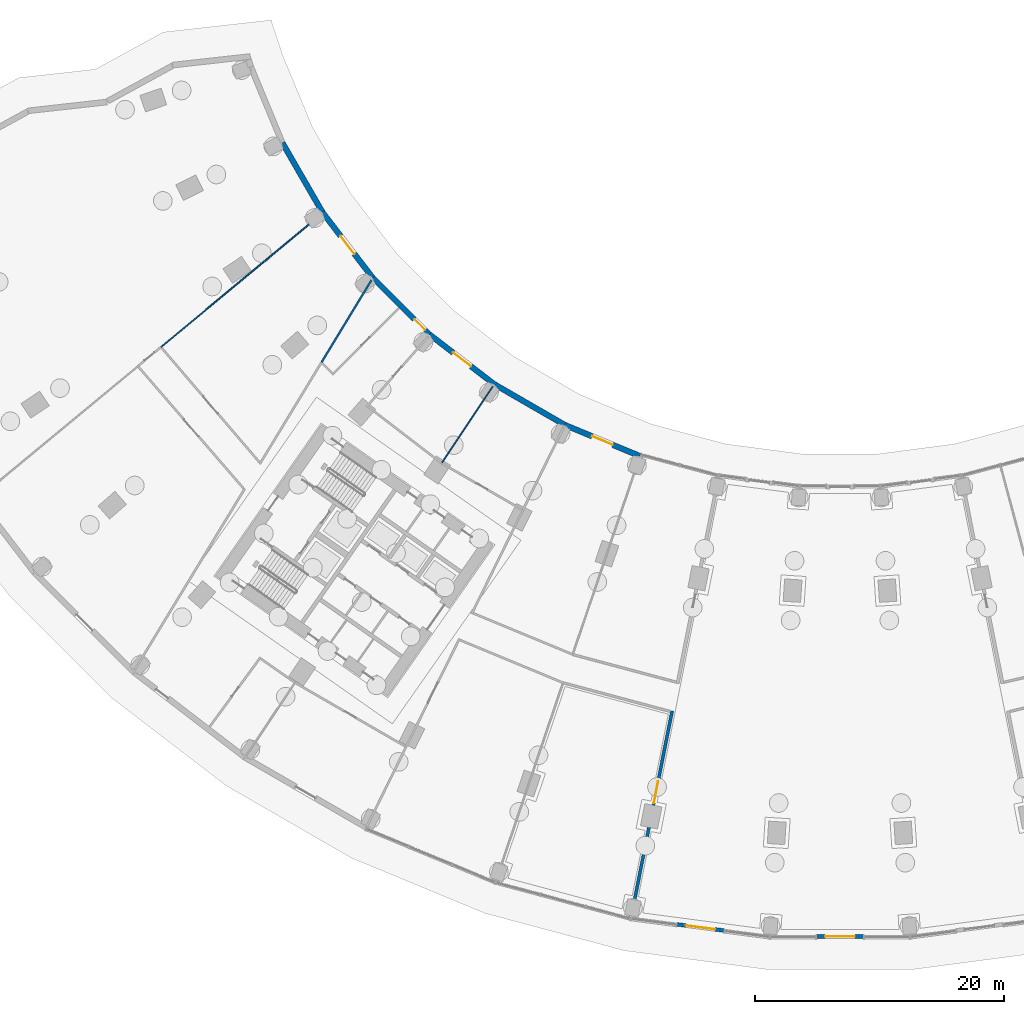
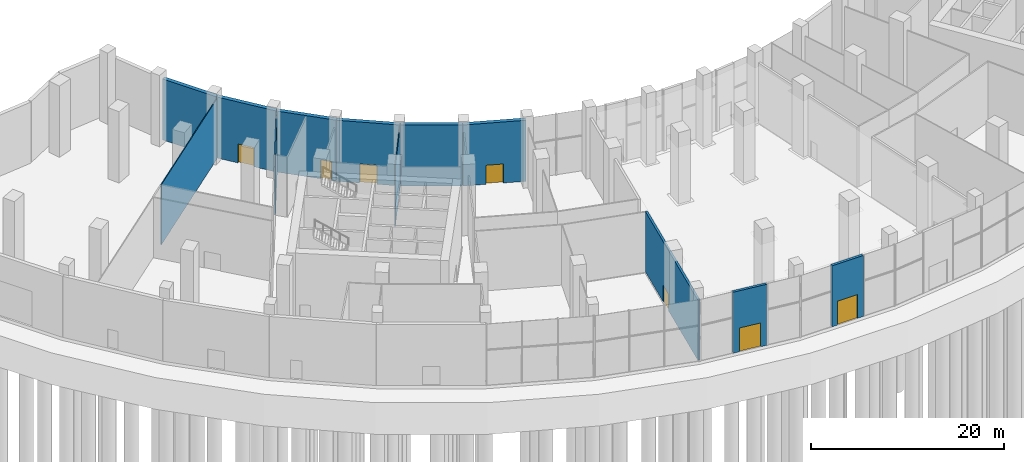
# One storey, part 7 of 23: 12 walls, 7 doors, 7 openings.
"""IFC4 building model written with IfcOpenShell, lengths in metres."""

from ifc_helpers import new_model, si_unit, direction, frame, frame_2d, origin, place, context, subcontext, project, spatial, rectangle, extrude, material, layer, layer_set, type_object, element, fill, save


model = new_model("IFC4")

# Units and contexts
model_context = context("Model", 3, precision=1e-05, world=origin(), true_north=direction((0.0, 1.0)))
body_context = subcontext(model_context, "Body", "Model", "MODEL_VIEW")
ifc_project = project(units=[si_unit("LENGTHUNIT", "METRE"), si_unit("AREAUNIT", "SQUARE_METRE"), si_unit("VOLUMEUNIT", "CUBIC_METRE"), si_unit("PLANEANGLEUNIT", "RADIAN"), si_unit("MASSUNIT", "GRAM", prefix="KILO")], contexts=[model_context])

# Site, building, storey
site_placement = place(None, origin())
site = spatial("IfcSite", under=ifc_project, at=site_placement, CompositionType="ELEMENT")
building_placement = place(site_placement, origin())
building = spatial("IfcBuilding", under=site, at=building_placement, Name="Qamariyya Broadcast Tower", CompositionType="ELEMENT")
storey_placement = place(building_placement, origin())
storey = spatial("IfcBuildingStorey", under=building, at=storey_placement, Name="L00", CompositionType="ELEMENT", Elevation=0.0)

# Wall, opening, door
ifc_material_1 = material(Name="Masonry block wall", Category="masonry")
ifc_layer_1 = layer(ifc_material_1, 0.25)
ifc_layer_set_1 = layer_set([ifc_layer_1], Name="Concourse compartment wall 250 EI 120")
wall_type_1 = type_object("IfcWallType", Name="Concourse compartment wall 250 EI 120", PredefinedType="PARTITIONING", material=ifc_layer_set_1)
wall_1_placement = place(storey_placement, frame((-16.787353515625, -84.396240234375, 0.0), z_axis=(0.0, 0.0, 1.0), x_axis=(0.195086842272, 0.980785972561, 0.0)))
wall_1 = element("IfcWall", 1, at=wall_1_placement, inside=storey, type_object=wall_type_1, Name="Partition L00-030", PredefinedType="PARTITIONING", context=body_context, shape_type="SweptSolid", body=[
    extrude(rectangle(XDim=16.924560546875, YDim=0.25, at=frame_2d((8.46240234375, 0.0))), origin(), (0.0, 0.0, 1.0), 7.60009765625),
])
opening_1_placement = place(wall_1_placement, frame((9.3623046875, 0.0, 0.0)))
opening_1 = element("IfcOpeningElement", 2, at=opening_1_placement, cuts=wall_1, Name="Opening L00-D02", PredefinedType="OPENING", context=body_context, shape_type="SweptSolid", body=[
    extrude(rectangle(XDim=1.800048828125, YDim=2.10009765625, at=frame_2d((0.89990234375, 1.050048828125))), frame((0.0, 0.135009765625, 0.0), z_axis=(0.0, -1.0, 0.0), x_axis=(1.0, 0.0, 0.0)), (0.0, 0.0, 1.0), 0.27001953125),
])
ifc_material_2 = material(Name="Timber fire door leaf", Category="wood")
door_type_1 = type_object("IfcDoorType", Name="Double fire door 1800 x 2100 FD60", OperationType="NOTDEFINED", PredefinedType="DOOR", material=ifc_material_2)
door_1_placement = place(opening_1_placement, origin())
door_1 = element("IfcDoor", 3, at=door_1_placement, inside=storey, type_object=door_type_1, Name="Door L00-D02", OperationType="DOUBLE_DOOR_SINGLE_SWING", OverallHeight=2.10009765625, OverallWidth=1.800048828125, PredefinedType="DOOR", context=body_context, shape_type="SweptSolid", body=[
    extrude(rectangle(XDim=1.800048828125, YDim=2.10009765625, at=frame_2d((0.89990234375, 1.050048828125))), frame((0.0, 0.02490234375, 0.0), z_axis=(0.0, -1.0, 0.0), x_axis=(1.0, 0.0, 0.0)), (0.0, 0.0, 1.0), 0.050048828125),
])
fill(opening_1, door_1)

# Walls
ifc_material_3 = material(Name="Gypsum board partition")
ifc_layer_2 = layer(ifc_material_3, 0.14990234375)
ifc_layer_set_2 = layer_set([ifc_layer_2], Name="Corridor partition 150 EI 60")
wall_type_2 = type_object("IfcWallType", Name="Corridor partition 150 EI 60", PredefinedType="PARTITIONING", material=ifc_layer_set_2)
wall_2_placement = place(storey_placement, frame((-37.6376953125, -33.18701171875, 0.0), z_axis=(0.0, 0.0, 1.0), x_axis=(-0.519163683086, -0.854674833, 0.0)))
element("IfcWall", 4, at=wall_2_placement, inside=storey, type_object=wall_type_2, Name="Partition L00-015", PredefinedType="PARTITIONING", context=body_context, shape_type="SweptSolid", body=[
    extrude(rectangle(XDim=7.724853515625, YDim=0.14990234375, at=frame_2d((3.8623046875, 0.0))), origin(), (0.0, 0.0, 1.0), 7.60009765625),
])
ifc_layer_3 = layer(ifc_material_3, 0.10009765625)
ifc_layer_set_3 = layer_set([ifc_layer_3], Name="Partition 100")
wall_type_3 = type_object("IfcWallType", Name="Partition 100", PredefinedType="PARTITIONING", material=ifc_layer_set_3)
wall_3_placement = place(storey_placement, frame((-54.543701171875, -38.564697265625, 0.0), z_axis=(0.0, 0.0, 1.0), x_axis=(0.769842038591, 0.638234467589, 0.0)))
element("IfcWall", 5, at=wall_3_placement, inside=storey, type_object=wall_type_3, Name="Partition L00-003", PredefinedType="PARTITIONING", context=body_context, shape_type="SweptSolid", body=[
    extrude(rectangle(XDim=16.667724609375, YDim=0.10009765625, at=frame_2d((8.333984375, 0.0))), origin(), (0.0, 0.0, 1.0), 7.60009765625),
])
wall_4_placement = place(storey_placement, frame((-27.8896484375, -41.73974609375, 0.0), z_axis=(0.0, 0.0, 1.0), x_axis=(-0.555569023768, -0.831470420297, 0.0)))
element("IfcWall", 6, at=wall_4_placement, inside=storey, type_object=wall_type_3, Name="Partition L00-024", PredefinedType="PARTITIONING", context=body_context, shape_type="SweptSolid", body=[
    extrude(rectangle(XDim=7.324951171875, YDim=0.10009765625, at=frame_2d((3.66259765625, 0.0))), origin(), (0.0, 0.0, 1.0), 7.60009765625),
])

# Wall, opening, door
ifc_material_4 = material(Name="Precast concrete C40/50 with terracotta facing", Category="masonry")
ifc_layer_4 = layer(ifc_material_4, 0.300048828125)
ifc_layer_set_4 = layer_set([ifc_layer_4], Name="Precast concrete C40/50 entrance portal wall 300, terracotta faced")
wall_type_4 = type_object("IfcWallType", Name="Precast concrete C40/50 entrance portal wall 300, terracotta faced", PredefinedType="SOLIDWALL", material=ifc_layer_set_4)
wall_5_placement = place(storey_placement, frame((-13.078369140625, -84.934814453125, 0.0), z_axis=(0.0, 0.0, 1.0), x_axis=(0.99144147491, -0.130551912392, 0.0)))
wall_5 = element("IfcWall", 7, at=wall_5_placement, inside=storey, type_object=wall_type_4, Name="e-wl-L00-portal-out09", PredefinedType="SOLIDWALL", context=body_context, shape_type="SweptSolid", body=[
    extrude(rectangle(XDim=3.7607421875, YDim=0.300048828125, at=frame_2d((1.88037109375, 0.0))), origin(), (0.0, 0.0, 1.0), 7.699951171875),
])
opening_2_placement = place(wall_5_placement, frame((0.680419921875, 0.0, 0.0)))
opening_2 = element("IfcOpeningElement", 8, at=opening_2_placement, cuts=wall_5, Name="Opening ED1", PredefinedType="OPENING", context=body_context, shape_type="SweptSolid", body=[
    extrude(rectangle(XDim=2.39990234375, YDim=3.0, at=frame_2d((1.199951171875, 1.5))), frame((0.0, 0.159912109375, 0.0), z_axis=(0.0, -1.0, 0.0), x_axis=(1.0, 0.0, 0.0)), (0.0, 0.0, 1.0), 0.320068359375),
])
ifc_material_5 = material(Name="Toughened glass in stainless steel frame", Category="steel")
door_type_2 = type_object("IfcDoorType", Name="Concourse entrance door 2400 x 3000", OperationType="DOUBLE_DOOR_DOUBLE_SWING", PredefinedType="DOOR", material=ifc_material_5)
door_2_placement = place(opening_2_placement, origin())
door_2 = element("IfcDoor", 9, at=door_2_placement, inside=storey, type_object=door_type_2, Name="e-ed-L00-ent-out09", OperationType="DOUBLE_DOOR_DOUBLE_SWING", OverallHeight=3.0, OverallWidth=2.39990234375, PredefinedType="DOOR", context=body_context, shape_type="SweptSolid", body=[
    extrude(rectangle(XDim=2.39990234375, YDim=3.0, at=frame_2d((1.199951171875, 1.5))), frame((0.0, 0.02490234375, 0.0), z_axis=(0.0, -1.0, 0.0), x_axis=(1.0, 0.0, 0.0)), (0.0, 0.0, 1.0), 0.050048828125),
])
fill(opening_2, door_2)

wall_6_placement = place(storey_placement, frame((-1.88037109375, -85.915283203125, 0.0), z_axis=(0.0, 0.0, 1.0), x_axis=(1.0, 0.0, 0.0)))
wall_6 = element("IfcWall", 10, at=wall_6_placement, inside=storey, type_object=wall_type_4, Name="e-wl-L00-portal-out10", PredefinedType="SOLIDWALL", context=body_context, shape_type="SweptSolid", body=[
    extrude(rectangle(XDim=3.7607421875, YDim=0.300048828125, at=frame_2d((1.88037109375, 0.0))), origin(), (0.0, 0.0, 1.0), 7.699951171875),
])
opening_3_placement = place(wall_6_placement, frame((0.680419921875, 0.0, 0.0)))
opening_3 = element("IfcOpeningElement", 11, at=opening_3_placement, cuts=wall_6, Name="Opening ED1", PredefinedType="OPENING", context=body_context, shape_type="SweptSolid", body=[
    extrude(rectangle(XDim=2.39990234375, YDim=3.0, at=frame_2d((1.199951171875, 1.5))), frame((0.0, 0.159912109375, 0.0), z_axis=(0.0, -1.0, 0.0), x_axis=(1.0, 0.0, 0.0)), (0.0, 0.0, 1.0), 0.320068359375),
])
door_3_placement = place(opening_3_placement, origin())
door_3 = element("IfcDoor", 12, at=door_3_placement, inside=storey, type_object=door_type_2, Name="e-ed-L00-ent-out10", OperationType="DOUBLE_DOOR_DOUBLE_SWING", OverallHeight=3.0, OverallWidth=2.39990234375, PredefinedType="DOOR", context=body_context, shape_type="SweptSolid", body=[
    extrude(rectangle(XDim=2.39990234375, YDim=3.0, at=frame_2d((1.199951171875, 1.5))), frame((0.0, 0.02490234375, 0.0), z_axis=(0.0, -1.0, 0.0), x_axis=(1.0, 0.0, 0.0)), (0.0, 0.0, 1.0), 0.050048828125),
])
fill(opening_3, door_3)

# Wall
ifc_layer_5 = layer(ifc_material_4, 0.449951171875)
ifc_layer_set_5 = layer_set([ifc_layer_5], Name="Precast concrete C40/50 wall 450, terracotta faced")
wall_type_5 = type_object("IfcWallType", Name="Precast concrete C40/50 wall 450, terracotta faced", PredefinedType="SOLIDWALL", material=ifc_layer_set_5)
wall_7_placement = place(storey_placement, frame((-41.58251953125, -27.7138671875, 0.0), z_axis=(0.0, 0.0, 1.0), x_axis=(-0.50000447882, 0.866022817921, 0.0)))
element("IfcWall", 13, at=wall_7_placement, inside=storey, type_object=wall_type_5, Name="e-wl-L00-in20", PredefinedType="SOLIDWALL", context=body_context, shape_type="SweptSolid", body=[
    extrude(rectangle(XDim=6.41943359375, YDim=0.449951171875, at=frame_2d((3.209716796875, 0.0))), origin(), (0.0, 0.0, 1.0), 7.699951171875),
])

# Wall, opening, door
wall_8_placement = place(storey_placement, frame((-37.55517578125, -32.974853515625, 0.0), z_axis=(0.0, 0.0, 1.0), x_axis=(-0.608780327927, 0.793338838284, 0.0)))
wall_8 = element("IfcWall", 14, at=wall_8_placement, inside=storey, type_object=wall_type_5, Name="e-wl-L00-in30", PredefinedType="SOLIDWALL", context=body_context, shape_type="SweptSolid", body=[
    extrude(rectangle(XDim=6.596923828125, YDim=0.449951171875, at=frame_2d((3.29833984375, 0.0))), origin(), (0.0, 0.0, 1.0), 7.699951171875),
])
opening_4_placement = place(wall_8_placement, frame((2.3984375, 0.0, 0.0)))
opening_4 = element("IfcOpeningElement", 15, at=opening_4_placement, cuts=wall_8, Name="Opening ED8", PredefinedType="OPENING", context=body_context, shape_type="SweptSolid", body=[
    extrude(rectangle(XDim=1.800048828125, YDim=2.39990234375, at=frame_2d((0.89990234375, 1.199951171875))), frame((0.0, 0.23486328125, 0.0), z_axis=(0.0, -1.0, 0.0), x_axis=(1.0, 0.0, 0.0)), (0.0, 0.0, 1.0), 0.469970703125),
])
door_type_3 = type_object("IfcDoorType", Name="Street exit door 1800 x 2400", OperationType="DOUBLE_DOOR_DOUBLE_SWING", PredefinedType="DOOR", material=ifc_material_5)
door_4_placement = place(opening_4_placement, origin())
door_4 = element("IfcDoor", 16, at=door_4_placement, inside=storey, type_object=door_type_3, Name="e-ed-L00-exit05-in03", OperationType="DOUBLE_DOOR_DOUBLE_SWING", OverallHeight=2.39990234375, OverallWidth=1.800048828125, PredefinedType="DOOR", context=body_context, shape_type="SweptSolid", body=[
    extrude(rectangle(XDim=1.800048828125, YDim=2.39990234375, at=frame_2d((0.89990234375, 1.199951171875))), frame((0.0, 0.02490234375, 0.0), z_axis=(0.0, -1.0, 0.0), x_axis=(1.0, 0.0, 0.0)), (0.0, 0.0, 1.0), 0.050048828125),
])
fill(opening_4, door_4)

wall_9_placement = place(storey_placement, frame((-32.992919921875, -37.531982421875, 0.0), z_axis=(0.0, 0.0, 1.0), x_axis=(-0.707106781187, 0.707106781187, 0.0)))
wall_9 = element("IfcWall", 17, at=wall_9_placement, inside=storey, type_object=wall_type_5, Name="e-wl-L00-in40", PredefinedType="SOLIDWALL", context=body_context, shape_type="SweptSolid", body=[
    extrude(rectangle(XDim=6.419189453125, YDim=0.449951171875, at=frame_2d((3.20947265625, 0.0))), origin(), (0.0, 0.0, 1.0), 7.699951171875),
])
opening_5_placement = place(wall_9_placement, frame((1.67919921875, 0.0, 0.0), z_axis=(0.0, 0.0, 1.0), x_axis=(-1.0, 0.0, 0.0)))
opening_5 = element("IfcOpeningElement", 18, at=opening_5_placement, cuts=wall_9, Name="Opening ED4", PredefinedType="OPENING", context=body_context, shape_type="SweptSolid", body=[
    extrude(rectangle(XDim=1.199951171875, YDim=2.39990234375, at=frame_2d((0.60009765625, 1.199951171875))), frame((0.0, 0.23486328125, 0.0), z_axis=(0.0, -1.0, 0.0), x_axis=(1.0, 0.0, 0.0)), (0.0, 0.0, 1.0), 0.469970703125),
])
door_type_4 = type_object("IfcDoorType", Name="Stair discharge door 1200 x 2400", OperationType="SINGLE_SWING_LEFT", PredefinedType="DOOR", material=ifc_material_5)
door_5_placement = place(opening_5_placement, origin())
door_5 = element("IfcDoor", 19, at=door_5_placement, inside=storey, type_object=door_type_4, Name="e-ed-L00-exit-k-W-L00-WI-D17", OperationType="SINGLE_SWING_LEFT", OverallHeight=2.39990234375, OverallWidth=1.199951171875, PredefinedType="DOOR", context=body_context, shape_type="SweptSolid", body=[
    extrude(rectangle(XDim=1.199951171875, YDim=2.39990234375, at=frame_2d((0.60009765625, 1.199951171875))), frame((0.0, 0.02490234375, 0.0), z_axis=(0.0, -1.0, 0.0), x_axis=(1.0, 0.0, 0.0)), (0.0, 0.0, 1.0), 0.050048828125),
])
fill(opening_5, door_5)

wall_10_placement = place(storey_placement, frame((-27.7412109375, -41.5712890625, 0.0), z_axis=(0.0, 0.0, 1.0), x_axis=(-0.793338838284, 0.608780327927, 0.0)))
wall_10 = element("IfcWall", 20, at=wall_10_placement, inside=storey, type_object=wall_type_5, Name="e-wl-L00-in50", PredefinedType="SOLIDWALL", context=body_context, shape_type="SweptSolid", body=[
    extrude(rectangle(XDim=6.596923828125, YDim=0.449951171875, at=frame_2d((3.29833984375, 0.0))), origin(), (0.0, 0.0, 1.0), 7.699951171875),
])
opening_6_placement = place(wall_10_placement, frame((2.3984375, 0.0, 0.0)))
opening_6 = element("IfcOpeningElement", 21, at=opening_6_placement, cuts=wall_10, Name="Opening ED8", PredefinedType="OPENING", context=body_context, shape_type="SweptSolid", body=[
    extrude(rectangle(XDim=1.800048828125, YDim=2.39990234375, at=frame_2d((0.89990234375, 1.199951171875))), frame((0.0, 0.23486328125, 0.0), z_axis=(0.0, -1.0, 0.0), x_axis=(1.0, 0.0, 0.0)), (0.0, 0.0, 1.0), 0.469970703125),
])
door_6_placement = place(opening_6_placement, origin())
door_6 = element("IfcDoor", 22, at=door_6_placement, inside=storey, type_object=door_type_3, Name="e-ed-L00-exit06-in05", OperationType="DOUBLE_DOOR_DOUBLE_SWING", OverallHeight=2.39990234375, OverallWidth=1.800048828125, PredefinedType="DOOR", context=body_context, shape_type="SweptSolid", body=[
    extrude(rectangle(XDim=1.800048828125, YDim=2.39990234375, at=frame_2d((0.89990234375, 1.199951171875))), frame((0.0, 0.02490234375, 0.0), z_axis=(0.0, -1.0, 0.0), x_axis=(1.0, 0.0, 0.0)), (0.0, 0.0, 1.0), 0.050048828125),
])
fill(opening_6, door_6)

# Wall
wall_11_placement = place(storey_placement, frame((-22.154541015625, -44.792236328125, 0.0), z_axis=(0.0, 0.0, 1.0), x_axis=(-0.866022817921, 0.50000447882, 0.0)))
element("IfcWall", 23, at=wall_11_placement, inside=storey, type_object=wall_type_5, Name="e-wl-L00-in60", PredefinedType="SOLIDWALL", context=body_context, shape_type="SweptSolid", body=[
    extrude(rectangle(XDim=6.41943359375, YDim=0.449951171875, at=frame_2d((3.209716796875, 0.0))), origin(), (0.0, 0.0, 1.0), 7.699951171875),
])

# Wall, opening, door
wall_12_placement = place(storey_placement, frame((-16.07763671875, -47.317626953125, 0.0), z_axis=(0.0, 0.0, 1.0), x_axis=(-0.923877418118, 0.382688536921, 0.0)))
wall_12 = element("IfcWall", 24, at=wall_12_placement, inside=storey, type_object=wall_type_5, Name="e-wl-L00-in70", PredefinedType="SOLIDWALL", context=body_context, shape_type="SweptSolid", body=[
    extrude(rectangle(XDim=6.552490234375, YDim=0.449951171875, at=frame_2d((3.2763671875, 0.0))), origin(), (0.0, 0.0, 1.0), 7.699951171875),
])
opening_7_placement = place(wall_12_placement, frame((2.353759765625, 0.0, 0.0)))
opening_7 = element("IfcOpeningElement", 25, at=opening_7_placement, cuts=wall_12, Name="Opening ED8", PredefinedType="OPENING", context=body_context, shape_type="SweptSolid", body=[
    extrude(rectangle(XDim=1.800048828125, YDim=2.39990234375, at=frame_2d((0.89990234375, 1.199951171875))), frame((0.0, 0.23486328125, 0.0), z_axis=(0.0, -1.0, 0.0), x_axis=(1.0, 0.0, 0.0)), (0.0, 0.0, 1.0), 0.469970703125),
])
door_7_placement = place(opening_7_placement, origin())
door_7 = element("IfcDoor", 26, at=door_7_placement, inside=storey, type_object=door_type_3, Name="e-ed-L00-exit09-in07", OperationType="DOUBLE_DOOR_DOUBLE_SWING", OverallHeight=2.39990234375, OverallWidth=1.800048828125, PredefinedType="DOOR", context=body_context, shape_type="SweptSolid", body=[
    extrude(rectangle(XDim=1.800048828125, YDim=2.39990234375, at=frame_2d((0.89990234375, 1.199951171875))), frame((0.0, 0.02490234375, 0.0), z_axis=(0.0, -1.0, 0.0), x_axis=(1.0, 0.0, 0.0)), (0.0, 0.0, 1.0), 0.050048828125),
])
fill(opening_7, door_7)

save(model, "model.ifc")
